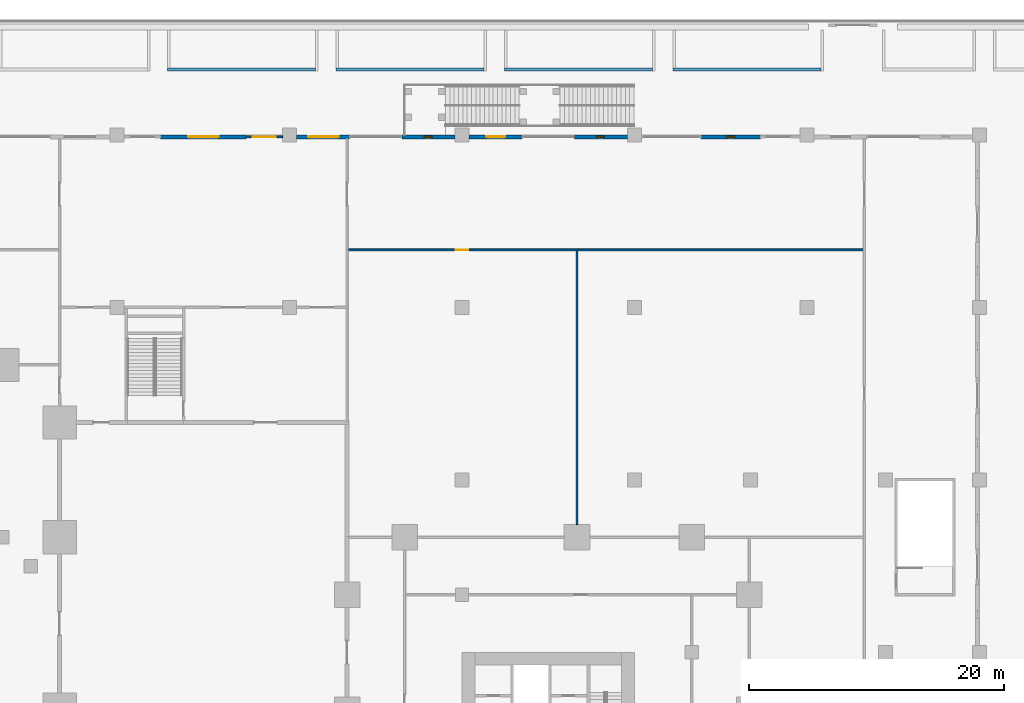
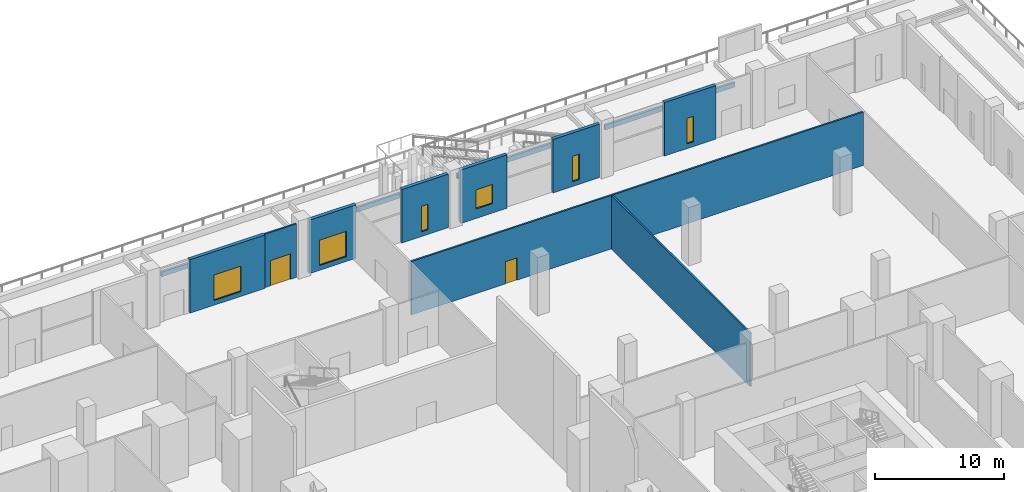
# One storey, part 35 of 47: 14 walls, 6 windows, 2 doors, 8 openings.
"""IFC4 building model written with IfcOpenShell, lengths in metres."""

from ifc_helpers import new_model, si_unit, direction, frame, frame_2d, origin, place, context, subcontext, project, spatial, rectangle, extrude, material, layer, layer_set, type_object, element, fill, save


model = new_model("IFC4")

# Units and contexts
model_context = context("Model", 3, precision=1e-05, world=origin(), true_north=direction((0.0, 1.0)))
body_context = subcontext(model_context, "Body", "Model", "MODEL_VIEW")
ifc_project = project(units=[si_unit("LENGTHUNIT", "METRE"), si_unit("AREAUNIT", "SQUARE_METRE"), si_unit("VOLUMEUNIT", "CUBIC_METRE"), si_unit("PLANEANGLEUNIT", "RADIAN"), si_unit("MASSUNIT", "GRAM", prefix="KILO")], contexts=[model_context])

# Site, building, storey
site_placement = place(None, origin())
site = spatial("IfcSite", under=ifc_project, at=site_placement, CompositionType="ELEMENT")
building_placement = place(site_placement, origin())
building = spatial("IfcBuilding", under=site, at=building_placement, Name="Altepetl Exchange Towers", CompositionType="ELEMENT")
storey_placement = place(building_placement, frame((0.0, 0.0, 6.0)))
storey = spatial("IfcBuildingStorey", under=building, at=storey_placement, Name="L01 Retail podium", CompositionType="ELEMENT", Elevation=6.0)

# Wall, opening, door
ifc_material_1 = material(Name="Aluminium composite cladding", Category="aluminium")
ifc_layer_1 = layer(ifc_material_1, 0.14990234375)
ifc_layer_set_1 = layer_set([ifc_layer_1], Name="Aluminium composite cladding")
wall_type_1 = type_object("IfcWallType", Name="Infill wall 150 aluminium panel", PredefinedType="SOLIDWALL", material=ifc_layer_set_1)
wall_1_placement = place(storey_placement, frame((89.449951171875, 89.85009765625, 0.0), z_axis=(0.0, 0.0, 1.0), x_axis=(-1.0, 0.0, 0.0)))
wall_1 = element("IfcWall", 1, at=wall_1_placement, inside=storey, type_object=wall_type_1, Name="Door bay wall", PredefinedType="SOLIDWALL", context=body_context, shape_type="SweptSolid", body=[
    extrude(rectangle(XDim=2.849853515625, YDim=0.14990234375, at=frame_2d((1.4248046875, 0.0))), origin(), (0.0, 0.0, 1.0), 5.050048828125),
])
opening_1_placement = place(wall_1_placement, frame((0.550048828125, 0.0, 0.0)))
opening_1 = element("IfcOpeningElement", 2, at=opening_1_placement, cuts=wall_1, Name="Opening L01.E04", PredefinedType="OPENING", context=body_context, shape_type="SweptSolid", body=[
    extrude(rectangle(XDim=1.800048828125, YDim=2.39990234375, at=frame_2d((0.89990234375, 1.199951171875))), frame((0.0, 0.0849609375, 0.0), z_axis=(0.0, -1.0, 0.0), x_axis=(1.0, 0.0, 0.0)), (0.0, 0.0, 1.0), 0.169921875),
])
ifc_material_2 = material(Name="Aluminium 6063-T6 and glass", Category="aluminium")
door_type_1 = type_object("IfcDoorType", Name="Glazed door pair 1800x2400", OperationType="DOUBLE_DOOR_DOUBLE_SWING", PredefinedType="NOTDEFINED", material=ifc_material_2)
door_1_placement = place(opening_1_placement, frame((1.800048828125, 0.0, 0.0), x_axis=(-1.0, 0.0, 0.0)))
door_1 = element("IfcDoor", 3, at=door_1_placement, inside=storey, type_object=door_type_1, Name="Terrace door", OperationType="DOUBLE_DOOR_DOUBLE_SWING", OverallHeight=2.39990234375, OverallWidth=1.800048828125, PredefinedType="NOTDEFINED", context=body_context, shape_type="SweptSolid", body=[
    extrude(rectangle(XDim=1.800048828125, YDim=2.39990234375, at=frame_2d((0.89990234375, 1.199951171875))), frame((0.0, 0.02490234375, 0.0), z_axis=(0.0, -1.0, 0.0), x_axis=(1.0, 0.0, 0.0)), (0.0, 0.0, 1.0), 0.050048828125),
])
fill(opening_1, door_1)

# Walls
ifc_material_3 = material(Name="Reinforced concrete C35/45", Category="concrete")
ifc_layer_2 = layer(ifc_material_3, 0.199951171875)
ifc_layer_set_2 = layer_set([ifc_layer_2], Name="Reinforced concrete C35/45")
wall_type_2 = type_object("IfcWallType", Name="Planting bed curb 200", PredefinedType="SOLIDWALL", material=ifc_layer_set_2)
wall_2_placement = place(storey_placement, frame((80.45703125, 95.125, 0.0)))
element("IfcWall", 4, at=wall_2_placement, inside=storey, type_object=wall_type_2, Name="wall:P:L01:CB16s", PredefinedType="SOLIDWALL", context=body_context, shape_type="SweptSolid", body=[
    extrude(rectangle(XDim=11.5859375, YDim=0.199951171875, at=frame_2d((5.79296875, 0.0))), origin(), (0.0, 0.0, 1.0), 0.449951171875),
])
for number, where, name in (
    (5, (93.642822265625, 95.125, 0.0), "wall:P:L01:CB17s"),
    (6, (106.82861328125, 95.125, 0.0), "wall:P:L01:CB18s"),
    (7, (120.014404296875, 95.125, 0.0), "wall:P:L01:CB19s"),
):
    element("IfcWall", number, at=place(storey_placement, frame(where)), inside=storey, type_object=wall_type_2, Name=name, PredefinedType="SOLIDWALL", context=body_context, shape_type="SweptSolid", body=[
        extrude(rectangle(XDim=11.585693359375, YDim=0.199951171875, at=frame_2d((5.79296875, 0.0))), origin(), (0.0, 0.0, 1.0), 0.449951171875),
    ])

# Wall, opening, door
ifc_material_4 = material(Name="Gypsum board on steel studs", Category="steel")
ifc_layer_3 = layer(ifc_material_4, 0.14990234375)
ifc_layer_set_3 = layer_set([ifc_layer_3], Name="Gypsum board on steel studs")
wall_type_3 = type_object("IfcWallType", Name="Podium partition 150", PredefinedType="PARTITIONING", material=ifc_layer_set_3)
wall_3_placement = place(storey_placement, frame((94.574951171875, 81.0, 0.0)))
wall_3 = element("IfcWall", 8, at=wall_3_placement, inside=storey, type_object=wall_type_3, Name="wall:P:L01:P065", PredefinedType="PARTITIONING", context=body_context, shape_type="SweptSolid", body=[
    extrude(rectangle(XDim=18.0, YDim=0.14990234375, at=frame_2d((9.0, 0.0))), origin(), (0.0, 0.0, 1.0), 5.050048828125),
])
opening_2_placement = place(wall_3_placement, frame((8.425048828125, 0.0, 0.0)))
opening_2 = element("IfcOpeningElement", 9, at=opening_2_placement, cuts=wall_3, Name="Opening L01.P021", PredefinedType="OPENING", context=body_context, shape_type="SweptSolid", body=[
    extrude(rectangle(XDim=1.0, YDim=2.10009765625, at=frame_2d((0.5, 1.050048828125))), frame((0.0, 0.0849609375, 0.0), z_axis=(0.0, -1.0, 0.0), x_axis=(1.0, 0.0, 0.0)), (0.0, 0.0, 1.0), 0.169921875),
])
ifc_material_5 = material(Name="Steel and timber fire door", Category="steel")
door_type_2 = type_object("IfcDoorType", Name="Podium fire door 1000 x 2100 single leaf", OperationType="SINGLE_SWING_LEFT", PredefinedType="DOOR", material=ifc_material_5)
door_2_placement = place(opening_2_placement, frame((1.0, 0.0, 0.0), x_axis=(-1.0, 0.0, 0.0)))
door_2 = element("IfcDoor", 10, at=door_2_placement, inside=storey, type_object=door_type_2, Name="door:P:L01:021", OperationType="SINGLE_SWING_LEFT", OverallHeight=2.10009765625, OverallWidth=1.0, PredefinedType="DOOR", context=body_context, shape_type="SweptSolid", body=[
    extrude(rectangle(XDim=1.0, YDim=2.10009765625, at=frame_2d((0.5, 1.050048828125))), frame((0.0, 0.02490234375, 0.0), z_axis=(0.0, -1.0, 0.0), x_axis=(1.0, 0.0, 0.0)), (0.0, 0.0, 1.0), 0.050048828125),
])
fill(opening_2, door_2)

# Walls
wall_4_placement = place(storey_placement, frame((112.5, 81.0, 0.0)))
element("IfcWall", 11, at=wall_4_placement, inside=storey, type_object=wall_type_3, Name="wall:P:L01:P066", PredefinedType="PARTITIONING", context=body_context, shape_type="SweptSolid", body=[
    extrude(rectangle(XDim=22.425048828125, YDim=0.14990234375, at=frame_2d((11.21240234375, 0.0))), origin(), (0.0, 0.0, 1.0), 5.050048828125),
])
wall_5_placement = place(storey_placement, frame((112.5, 59.4951171875, 0.0), z_axis=(0.0, 0.0, 1.0), x_axis=(0.0, 1.0, 0.0)))
element("IfcWall", 12, at=wall_5_placement, inside=storey, type_object=wall_type_3, Name="wall:P:L01:P152", PredefinedType="PARTITIONING", context=body_context, shape_type="SweptSolid", body=[
    extrude(rectangle(XDim=21.429931640625, YDim=0.14990234375, at=frame_2d((10.71484375, 0.0))), origin(), (0.0, 0.0, 1.0), 5.050048828125),
])

# Wall, opening, window
ifc_material_6 = material(Name="Cantera limestone cladding", Category="masonry")
ifc_layer_4 = layer(ifc_material_6, 0.300048828125)
ifc_layer_set_4 = layer_set([ifc_layer_4], Name="Cantera limestone cladding")
wall_type_4 = type_object("IfcWallType", Name="Stone wall panel 300", PredefinedType="ELEMENTEDWALL", material=ifc_layer_set_4)
wall_6_placement = place(storey_placement, frame((126.85009765625, 89.85009765625, 0.0), z_axis=(0.0, 0.0, 1.0), x_axis=(-1.0, 0.0, 0.0)))
wall_6 = element("IfcWall", 13, at=wall_6_placement, inside=storey, type_object=wall_type_4, Name="Stone wall panel", PredefinedType="ELEMENTEDWALL", context=body_context, shape_type="SweptSolid", body=[
    extrude(rectangle(XDim=4.625, YDim=0.300048828125, at=frame_2d((2.3125, 0.0))), origin(), (0.0, 0.0, 1.0), 5.050048828125),
])
opening_3_placement = place(wall_6_placement, frame((2.012451171875, 0.0, 0.449951171875)))
opening_3 = element("IfcOpeningElement", 14, at=opening_3_placement, cuts=wall_6, Name="Opening W3", PredefinedType="OPENING", context=body_context, shape_type="SweptSolid", body=[
    extrude(rectangle(XDim=0.60009765625, YDim=2.39990234375, at=frame_2d((0.300048828125, 1.199951171875))), frame((0.0, 0.16015625, 0.0), z_axis=(0.0, -1.0, 0.0), x_axis=(1.0, 0.0, 0.0)), (0.0, 0.0, 1.0), 0.320068359375),
])
window_type_1 = type_object("IfcWindowType", Name="Tall slot window 600x2400", PartitioningType="SINGLE_PANEL", PredefinedType="WINDOW", material=ifc_material_2)
window_1_placement = place(opening_3_placement, origin())
window_1 = element("IfcWindow", 15, at=window_1_placement, inside=storey, type_object=window_type_1, Name="Window", OverallHeight=2.39990234375, OverallWidth=0.60009765625, PartitioningType="SINGLE_PANEL", PredefinedType="WINDOW", context=body_context, shape_type="SweptSolid", body=[
    extrude(rectangle(XDim=0.60009765625, YDim=2.39990234375, at=frame_2d((0.300048828125, 1.199951171875))), frame((0.0, 0.030029296875, 0.0), z_axis=(0.0, -1.0, 0.0), x_axis=(1.0, 0.0, 0.0)), (0.0, 0.0, 1.0), 0.06005859375),
])
fill(opening_3, window_1)

wall_7_placement = place(storey_placement, frame((116.449951171875, 89.85009765625, 0.0), z_axis=(0.0, 0.0, 1.0), x_axis=(-1.0, 0.0, 0.0)))
wall_7 = element("IfcWall", 16, at=wall_7_placement, inside=storey, type_object=wall_type_4, Name="Stone wall panel", PredefinedType="ELEMENTEDWALL", context=body_context, shape_type="SweptSolid", body=[
    extrude(rectangle(XDim=4.14990234375, YDim=0.300048828125, at=frame_2d((2.074951171875, 0.0))), origin(), (0.0, 0.0, 1.0), 5.050048828125),
])
opening_4_placement = place(wall_7_placement, frame((1.800048828125, 0.0, 0.449951171875)))
opening_4 = element("IfcOpeningElement", 17, at=opening_4_placement, cuts=wall_7, Name="Opening W3", PredefinedType="OPENING", context=body_context, shape_type="SweptSolid", body=[
    extrude(rectangle(XDim=0.60009765625, YDim=2.39990234375, at=frame_2d((0.300048828125, 1.199951171875))), frame((0.0, 0.16015625, 0.0), z_axis=(0.0, -1.0, 0.0), x_axis=(1.0, 0.0, 0.0)), (0.0, 0.0, 1.0), 0.320068359375),
])
window_2_placement = place(opening_4_placement, origin())
window_2 = element("IfcWindow", 18, at=window_2_placement, inside=storey, type_object=window_type_1, Name="Window", OverallHeight=2.39990234375, OverallWidth=0.60009765625, PartitioningType="SINGLE_PANEL", PredefinedType="WINDOW", context=body_context, shape_type="SweptSolid", body=[
    extrude(rectangle(XDim=0.60009765625, YDim=2.39990234375, at=frame_2d((0.300048828125, 1.199951171875))), frame((0.0, 0.030029296875, 0.0), z_axis=(0.0, -1.0, 0.0), x_axis=(1.0, 0.0, 0.0)), (0.0, 0.0, 1.0), 0.06005859375),
])
fill(opening_4, window_2)

wall_8_placement = place(storey_placement, frame((108.199951171875, 89.85009765625, 0.0), z_axis=(0.0, 0.0, 1.0), x_axis=(-1.0, 0.0, 0.0)))
wall_8 = element("IfcWall", 19, at=wall_8_placement, inside=storey, type_object=wall_type_4, Name="Stone wall panel", PredefinedType="ELEMENTEDWALL", context=body_context, shape_type="SweptSolid", body=[
    extrude(rectangle(XDim=4.14990234375, YDim=0.300048828125, at=frame_2d((2.074951171875, 0.0))), origin(), (0.0, 0.0, 1.0), 5.050048828125),
])
opening_5_placement = place(wall_8_placement, frame((1.300048828125, 0.0, 0.89990234375)))
opening_5 = element("IfcOpeningElement", 20, at=opening_5_placement, cuts=wall_8, Name="Opening W2", PredefinedType="OPENING", context=body_context, shape_type="SweptSolid", body=[
    extrude(rectangle(XDim=1.5, YDim=1.800048828125, at=frame_2d((0.75, 0.89990234375))), frame((0.0, 0.16015625, 0.0), z_axis=(0.0, -1.0, 0.0), x_axis=(1.0, 0.0, 0.0)), (0.0, 0.0, 1.0), 0.320068359375),
])
ifc_material_7 = material(Name="Timber and glass", Category="wood")
window_type_2 = type_object("IfcWindowType", Name="Punched window 1500x1800", PartitioningType="SINGLE_PANEL", PredefinedType="WINDOW", material=ifc_material_7)
window_3_placement = place(opening_5_placement, origin())
window_3 = element("IfcWindow", 21, at=window_3_placement, inside=storey, type_object=window_type_2, Name="Window", OverallHeight=1.800048828125, OverallWidth=1.5, PartitioningType="SINGLE_PANEL", PredefinedType="WINDOW", context=body_context, shape_type="SweptSolid", body=[
    extrude(rectangle(XDim=1.5, YDim=1.800048828125, at=frame_2d((0.75, 0.89990234375))), frame((0.0, 0.030029296875, 0.0), z_axis=(0.0, -1.0, 0.0), x_axis=(1.0, 0.0, 0.0)), (0.0, 0.0, 1.0), 0.06005859375),
])
fill(opening_5, window_3)

wall_9_placement = place(storey_placement, frame((102.949951171875, 89.85009765625, 0.0), z_axis=(0.0, 0.0, 1.0), x_axis=(-1.0, 0.0, 0.0)))
wall_9 = element("IfcWall", 22, at=wall_9_placement, inside=storey, type_object=wall_type_4, Name="Stone wall panel", PredefinedType="ELEMENTEDWALL", context=body_context, shape_type="SweptSolid", body=[
    extrude(rectangle(XDim=4.14990234375, YDim=0.300048828125, at=frame_2d((2.074951171875, 0.0))), origin(), (0.0, 0.0, 1.0), 5.050048828125),
])
opening_6_placement = place(wall_9_placement, frame((1.800048828125, 0.0, 0.449951171875)))
opening_6 = element("IfcOpeningElement", 23, at=opening_6_placement, cuts=wall_9, Name="Opening W3", PredefinedType="OPENING", context=body_context, shape_type="SweptSolid", body=[
    extrude(rectangle(XDim=0.60009765625, YDim=2.39990234375, at=frame_2d((0.300048828125, 1.199951171875))), frame((0.0, 0.16015625, 0.0), z_axis=(0.0, -1.0, 0.0), x_axis=(1.0, 0.0, 0.0)), (0.0, 0.0, 1.0), 0.320068359375),
])
window_4_placement = place(opening_6_placement, origin())
window_4 = element("IfcWindow", 24, at=window_4_placement, inside=storey, type_object=window_type_1, Name="Window", OverallHeight=2.39990234375, OverallWidth=0.60009765625, PartitioningType="SINGLE_PANEL", PredefinedType="WINDOW", context=body_context, shape_type="SweptSolid", body=[
    extrude(rectangle(XDim=0.60009765625, YDim=2.39990234375, at=frame_2d((0.300048828125, 1.199951171875))), frame((0.0, 0.030029296875, 0.0), z_axis=(0.0, -1.0, 0.0), x_axis=(1.0, 0.0, 0.0)), (0.0, 0.0, 1.0), 0.06005859375),
])
fill(opening_6, window_4)

wall_10_placement = place(storey_placement, frame((94.699951171875, 89.85009765625, 0.0), z_axis=(0.0, 0.0, 1.0), x_axis=(-1.0, 0.0, 0.0)))
wall_10 = element("IfcWall", 25, at=wall_10_placement, inside=storey, type_object=wall_type_4, Name="Stone wall panel", PredefinedType="ELEMENTEDWALL", context=body_context, shape_type="SweptSolid", body=[
    extrude(rectangle(XDim=4.14990234375, YDim=0.300048828125, at=frame_2d((2.074951171875, 0.0))), origin(), (0.0, 0.0, 1.0), 5.050048828125),
])
opening_7_placement = place(wall_10_placement, frame((0.85009765625, 0.0, 0.449951171875)))
opening_7 = element("IfcOpeningElement", 26, at=opening_7_placement, cuts=wall_10, Name="Opening W1", PredefinedType="OPENING", context=body_context, shape_type="SweptSolid", body=[
    extrude(rectangle(XDim=2.39990234375, YDim=2.39990234375, at=frame_2d((1.199951171875, 1.199951171875))), frame((0.0, 0.16015625, 0.0), z_axis=(0.0, -1.0, 0.0), x_axis=(1.0, 0.0, 0.0)), (0.0, 0.0, 1.0), 0.320068359375),
])
window_type_3 = type_object("IfcWindowType", Name="Shopfront window 2400x2400", PartitioningType="SINGLE_PANEL", PredefinedType="WINDOW", material=ifc_material_2)
window_5_placement = place(opening_7_placement, origin())
window_5 = element("IfcWindow", 27, at=window_5_placement, inside=storey, type_object=window_type_3, Name="Window", OverallHeight=2.39990234375, OverallWidth=2.39990234375, PartitioningType="SINGLE_PANEL", PredefinedType="WINDOW", context=body_context, shape_type="SweptSolid", body=[
    extrude(rectangle(XDim=2.39990234375, YDim=2.39990234375, at=frame_2d((1.199951171875, 1.199951171875))), frame((0.0, 0.030029296875, 0.0), z_axis=(0.0, -1.0, 0.0), x_axis=(1.0, 0.0, 0.0)), (0.0, 0.0, 1.0), 0.06005859375),
])
fill(opening_7, window_5)

wall_11_placement = place(storey_placement, frame((86.60009765625, 89.85009765625, 0.0), z_axis=(0.0, 0.0, 1.0), x_axis=(-1.0, 0.0, 0.0)))
wall_11 = element("IfcWall", 28, at=wall_11_placement, inside=storey, type_object=wall_type_4, Name="Stone wall panel", PredefinedType="ELEMENTEDWALL", context=body_context, shape_type="SweptSolid", body=[
    extrude(rectangle(XDim=6.7001953125, YDim=0.300048828125, at=frame_2d((3.35009765625, 0.0))), origin(), (0.0, 0.0, 1.0), 5.050048828125),
])
opening_8_placement = place(wall_11_placement, frame((2.14990234375, 0.0, 0.449951171875)))
opening_8 = element("IfcOpeningElement", 29, at=opening_8_placement, cuts=wall_11, Name="Opening W1", PredefinedType="OPENING", context=body_context, shape_type="SweptSolid", body=[
    extrude(rectangle(XDim=2.39990234375, YDim=2.39990234375, at=frame_2d((1.199951171875, 1.199951171875))), frame((0.0, 0.16015625, 0.0), z_axis=(0.0, -1.0, 0.0), x_axis=(1.0, 0.0, 0.0)), (0.0, 0.0, 1.0), 0.320068359375),
])
window_6_placement = place(opening_8_placement, origin())
window_6 = element("IfcWindow", 30, at=window_6_placement, inside=storey, type_object=window_type_3, Name="Window", OverallHeight=2.39990234375, OverallWidth=2.39990234375, PartitioningType="SINGLE_PANEL", PredefinedType="WINDOW", context=body_context, shape_type="SweptSolid", body=[
    extrude(rectangle(XDim=2.39990234375, YDim=2.39990234375, at=frame_2d((1.199951171875, 1.199951171875))), frame((0.0, 0.030029296875, 0.0), z_axis=(0.0, -1.0, 0.0), x_axis=(1.0, 0.0, 0.0)), (0.0, 0.0, 1.0), 0.06005859375),
])
fill(opening_8, window_6)

save(model, "model.ifc")
